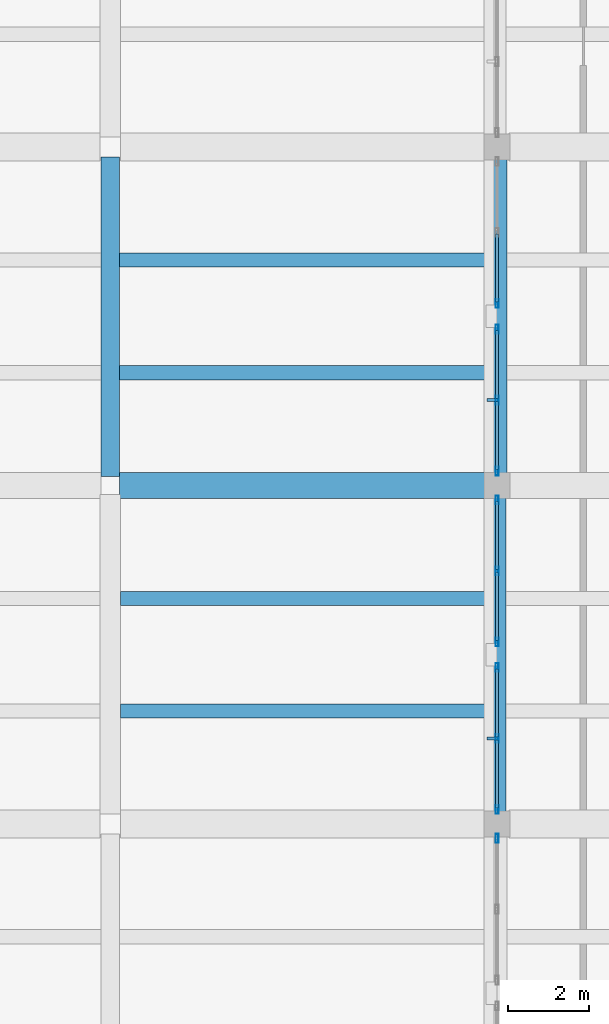
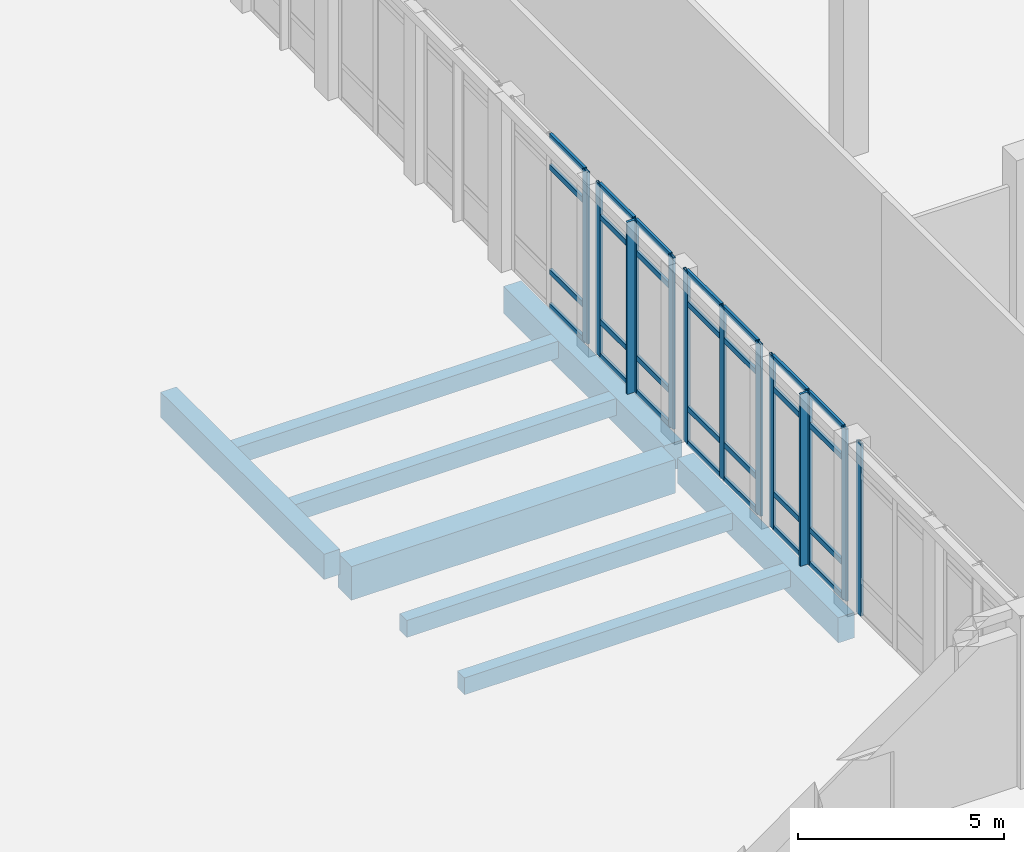
# One storey, part 18 of 71: 41 members, 8 beams, 5 elements without a shape of their own.
"""IFC4 building model written with IfcOpenShell, lengths in metres."""

from ifc_helpers import new_model, si_unit, direction, frame, origin, origin_2d, place, context, subcontext, project, spatial, rectangle, hollow_rectangle, extrude, material, layer, layer_set, material_profile, profile_set, type_object, element, aggregate, save


model = new_model("IFC4")

# Units and contexts
model_context = context("Model", 3, precision=1e-05, world=origin(), true_north=direction((0.0, 1.0)))
body_context = subcontext(model_context, "Body", "Model", "MODEL_VIEW")
ifc_project = project(units=[si_unit("LENGTHUNIT", "METRE"), si_unit("AREAUNIT", "SQUARE_METRE"), si_unit("VOLUMEUNIT", "CUBIC_METRE"), si_unit("PLANEANGLEUNIT", "RADIAN"), si_unit("MASSUNIT", "GRAM", prefix="KILO")], contexts=[model_context])

# Site, building, storey
site_placement = place(None, origin())
site = spatial("IfcSite", under=ifc_project, at=site_placement, CompositionType="ELEMENT")
building_placement = place(site_placement, origin())
building = spatial("IfcBuilding", under=site, at=building_placement, Name="Lornevale Opera House", CompositionType="ELEMENT")
storey_placement = place(building_placement, origin())
storey = spatial("IfcBuildingStorey", under=building, at=storey_placement, Name="L01", CompositionType="ELEMENT", Elevation=0.0)

# Beams
ifc_material_1 = material(Name="Concrete 35 MPa (CSA A23.1 N)", Category="concrete")
ifc_material_profile_1 = material_profile(ifc_material_1, rectangle(XDim=0.449951171875, YDim=0.75, at=origin_2d()), Name="RC450x750")
ifc_profile_set_1 = profile_set([ifc_material_profile_1], Name="Concrete 35 MPa (CSA A23.1 N)")
beam_type_1 = type_object("IfcBeamType", Name="Concrete Floor Beam 450x750", PredefinedType="USERDEFINED", material=ifc_profile_set_1)
beam_1_placement = place(storey_placement, frame((19.199951171875, 42.22509765625, -0.625), z_axis=(0.0, 1.0, 0.0), x_axis=(-1.0, 0.0, 0.0)))
element("IfcBeam", 1, at=beam_1_placement, inside=storey, type_object=beam_type_1, Name="Concrete Floor Beam 450x750 1098", ObjectType="GIRDER", PredefinedType="USERDEFINED", context=body_context, shape_type="SweptSolid", body=[
    extrude(rectangle(XDim=0.449951171875, YDim=0.75, at=origin_2d()), origin(), (0.0, 0.0, 1.0), 7.9248046875),
])
beam_2_placement = place(storey_placement, frame((28.800048828125, 33.89990234375, -0.81494140625), z_axis=(0.0, 1.0, 0.0), x_axis=(-1.0, 0.0, 0.0)))
element("IfcBeam", 2, at=beam_2_placement, inside=storey, type_object=beam_type_1, Name="Concrete Floor Beam 450x750 1109", ObjectType="GIRDER", PredefinedType="USERDEFINED", context=body_context, shape_type="SweptSolid", body=[
    extrude(rectangle(XDim=0.449951171875, YDim=0.75, at=origin_2d()), origin(), (0.0, 0.0, 1.0), 7.800048828125),
])
ifc_material_profile_2 = material_profile(ifc_material_1, rectangle(XDim=0.5, YDim=0.800048828125, at=origin_2d()), Name="RC500x800")
ifc_profile_set_2 = profile_set([ifc_material_profile_2], Name="Concrete 35 MPa (CSA A23.1 N)")
beam_type_2 = type_object("IfcBeamType", Name="Concrete Floor Beam 500x800", PredefinedType="USERDEFINED", material=ifc_profile_set_2)
beam_3_placement = place(storey_placement, frame((28.800048828125, 42.300048828125, -0.840087890625), z_axis=(0.0, 1.0, 0.0), x_axis=(-1.0, 0.0, 0.0)))
element("IfcBeam", 3, at=beam_3_placement, inside=storey, type_object=beam_type_2, Name="Concrete Floor Beam 500x800 1110", ObjectType="GIRDER", PredefinedType="USERDEFINED", context=body_context, shape_type="SweptSolid", body=[
    extrude(rectangle(XDim=0.5, YDim=0.800048828125, at=origin_2d()), origin(), (0.0, 0.0, 1.0), 7.800048828125),
])
ifc_material_2 = material(Name="Concrete 40 MPa (CSA A23.1 C-1)", Category="concrete")
ifc_material_profile_3 = material_profile(ifc_material_2, rectangle(XDim=0.64990234375, YDim=1.0, at=origin_2d()), Name="RC650x1000")
ifc_profile_set_3 = profile_set([ifc_material_profile_3], Name="Concrete 40 MPa (CSA A23.1 C-1)")
beam_type_3 = type_object("IfcBeamType", Name="Concrete Primary Girder 650x1000", PredefinedType="USERDEFINED", material=ifc_profile_set_3)
beam_4_placement = place(storey_placement, frame((19.425048828125, 42.0, -0.93994140625), z_axis=(1.0, 0.0, 0.0), x_axis=(0.0, 1.0, 0.0)))
element("IfcBeam", 4, at=beam_4_placement, inside=storey, type_object=beam_type_3, Name="Concrete Primary Girder 650x1000 0927", ObjectType="GIRDER", PredefinedType="USERDEFINED", context=body_context, shape_type="SweptSolid", body=[
    extrude(rectangle(XDim=0.64990234375, YDim=1.0, at=origin_2d()), origin(), (0.0, 0.0, 1.0), 9.074951171875),
])
ifc_material_profile_4 = material_profile(ifc_material_1, rectangle(XDim=0.35009765625, YDim=0.5, at=origin_2d()), Name="RC350x500")
ifc_profile_set_4 = profile_set([ifc_material_profile_4], Name="Concrete 35 MPa (CSA A23.1 N)")
beam_type_4 = type_object("IfcBeamType", Name="Concrete Secondary Rib 350x500", PredefinedType="JOIST", material=ifc_profile_set_4)
for number, where, z_axis, x_axis, name in (
    (5, (19.449951171875, 36.39990234375, -0.68994140625), (1.0, 0.0, 0.0), (0.0, 1.0, 0.0), "Concrete Secondary Rib 350x500 1345"),
    (6, (19.449951171875, 39.199951171875, -0.68994140625), (1.0, 0.0, 0.0), (0.0, 1.0, 0.0), "Concrete Secondary Rib 350x500 1346"),
    (7, (19.425048828125, 44.800048828125, -0.68994140625), (1.0, 0.0, 0.0), (0.0, 1.0, 0.0), "Concrete Secondary Rib 350x500 1347"),
    (8, (19.425048828125, 47.60009765625, -0.68994140625), (1.0, 0.0, 0.0), (0.0, 1.0, 0.0), "Concrete Secondary Rib 350x500 1348"),
):
    element("IfcBeam", number, at=place(storey_placement, frame(where, z_axis=z_axis, x_axis=x_axis)), inside=storey, type_object=beam_type_4, Name=name, PredefinedType="JOIST", context=body_context, shape_type="SweptSolid", body=[
        extrude(rectangle(XDim=0.35009765625, YDim=0.5, at=origin_2d()), origin(), (0.0, 0.0, 1.0), 9.125),
    ])

# Curtain wall, member
ifc_material_3 = material(Name="Anodized Oxide-Green Aluminium Framing", Category="aluminium")
ifc_layer = layer(ifc_material_3, 0.215087890625)
ifc_layer_set = layer_set([ifc_layer], Name="Anodized Oxide-Green Aluminium Framing")
curtain_wall_type = type_object("IfcCurtainWallType", Name="Grand Foyer Curtain Wall M2000", PredefinedType="NOTDEFINED", material=ifc_layer_set)
curtain_wall_1_placement = place(storey_placement, origin())
curtain_wall_1 = element("IfcCurtainWall", 9, at=curtain_wall_1_placement, inside=storey, type_object=curtain_wall_type, Name="Grand Foyer Curtain Wall M2000 CW-002", PredefinedType="NOTDEFINED")
ifc_material_profile_5 = material_profile(ifc_material_3, hollow_rectangle(XDim=0.074951171875, YDim=0.219970703125, WallThickness=0.0048828125, at=origin_2d()), Name="ALU75x220x5")
ifc_profile_set_5 = profile_set([ifc_material_profile_5], Name="Anodized Oxide-Green Aluminium Framing")
member_type_1 = type_object("IfcMemberType", Name="Curtain Wall Mullion 75x220", PredefinedType="MULLION", material=ifc_profile_set_5)
member_1_placement = place(storey_placement, frame((28.800048828125, 33.241455078125, 0.0), z_axis=(0.0, 0.0, 1.0), x_axis=(-1.0, 0.0, 0.0)))
member_1 = element("IfcMember", 10, at=member_1_placement, type_object=member_type_1, Name="Curtain Wall Mullion 75x220 CW0020", PredefinedType="MULLION", context=body_context, shape_type="SweptSolid", body=[
    extrude(hollow_rectangle(XDim=0.074951171875, YDim=0.219970703125, WallThickness=0.0048828125, at=origin_2d()), origin(), (0.0, 0.0, 1.0), 5.10009765625),
])
aggregate(curtain_wall_1, [member_1])

# Curtain wall, members
curtain_wall_2_placement = place(storey_placement, origin())
curtain_wall_2 = element("IfcCurtainWall", 11, at=curtain_wall_2_placement, inside=storey, type_object=curtain_wall_type, Name="Grand Foyer Curtain Wall M2000 CW-003", PredefinedType="NOTDEFINED")
member_2_placement = place(storey_placement, frame((28.800048828125, 33.95849609375, 0.0), z_axis=(0.0, 0.0, 1.0), x_axis=(-1.0, 0.0, 0.0)))
member_2 = element("IfcMember", 12, at=member_2_placement, type_object=member_type_1, Name="Curtain Wall Mullion 75x220 CW0035", PredefinedType="MULLION", context=body_context, shape_type="SweptSolid", body=[
    extrude(hollow_rectangle(XDim=0.074951171875, YDim=0.219970703125, WallThickness=0.0048828125, at=origin_2d()), origin(), (0.0, 0.0, 1.0), 5.10009765625),
])
member_3_placement = place(storey_placement, frame((28.800048828125, 35.720458984375, 0.0), z_axis=(0.0, 0.0, 1.0), x_axis=(-1.0, 0.0, 0.0)))
member_3 = element("IfcMember", 13, at=member_3_placement, type_object=member_type_1, Name="Curtain Wall Mullion 75x220 CW0036", PredefinedType="MULLION", context=body_context, shape_type="SweptSolid", body=[
    extrude(hollow_rectangle(XDim=0.074951171875, YDim=0.219970703125, WallThickness=0.0048828125, at=origin_2d()), origin(), (0.0, 0.0, 1.0), 5.10009765625),
])
member_4_placement = place(storey_placement, frame((28.800048828125, 37.482421875, 0.0), z_axis=(0.0, 0.0, 1.0), x_axis=(-1.0, 0.0, 0.0)))
member_4 = element("IfcMember", 14, at=member_4_placement, type_object=member_type_1, Name="Curtain Wall Mullion 75x220 CW0037", PredefinedType="MULLION", context=body_context, shape_type="SweptSolid", body=[
    extrude(hollow_rectangle(XDim=0.074951171875, YDim=0.219970703125, WallThickness=0.0048828125, at=origin_2d()), origin(), (0.0, 0.0, 1.0), 5.10009765625),
])

curtain_wall_3_placement = place(storey_placement, origin())
curtain_wall_3 = element("IfcCurtainWall", 15, at=curtain_wall_3_placement, inside=storey, type_object=curtain_wall_type, Name="Grand Foyer Curtain Wall M2000 CW-004", PredefinedType="NOTDEFINED")
member_5_placement = place(storey_placement, frame((28.800048828125, 38.117431640625, 0.0), z_axis=(0.0, 0.0, 1.0), x_axis=(-1.0, 0.0, 0.0)))
member_5 = element("IfcMember", 16, at=member_5_placement, type_object=member_type_1, Name="Curtain Wall Mullion 75x220 CW0052", PredefinedType="MULLION", context=body_context, shape_type="SweptSolid", body=[
    extrude(hollow_rectangle(XDim=0.074951171875, YDim=0.219970703125, WallThickness=0.0048828125, at=origin_2d()), origin(), (0.0, 0.0, 1.0), 5.10009765625),
])
member_6_placement = place(storey_placement, frame((28.800048828125, 39.87939453125, 0.0), z_axis=(0.0, 0.0, 1.0), x_axis=(-1.0, 0.0, 0.0)))
member_6 = element("IfcMember", 17, at=member_6_placement, type_object=member_type_1, Name="Curtain Wall Mullion 75x220 CW0053", PredefinedType="MULLION", context=body_context, shape_type="SweptSolid", body=[
    extrude(hollow_rectangle(XDim=0.074951171875, YDim=0.219970703125, WallThickness=0.0048828125, at=origin_2d()), origin(), (0.0, 0.0, 1.0), 5.10009765625),
])
member_7_placement = place(storey_placement, frame((28.800048828125, 41.6416015625, 0.0), z_axis=(0.0, 0.0, 1.0), x_axis=(-1.0, 0.0, 0.0)))
member_7 = element("IfcMember", 18, at=member_7_placement, type_object=member_type_1, Name="Curtain Wall Mullion 75x220 CW0054", PredefinedType="MULLION", context=body_context, shape_type="SweptSolid", body=[
    extrude(hollow_rectangle(XDim=0.074951171875, YDim=0.219970703125, WallThickness=0.0048828125, at=origin_2d()), origin(), (0.0, 0.0, 1.0), 5.10009765625),
])

curtain_wall_4_placement = place(storey_placement, origin())
curtain_wall_4 = element("IfcCurtainWall", 19, at=curtain_wall_4_placement, inside=storey, type_object=curtain_wall_type, Name="Grand Foyer Curtain Wall M2000 CW-005", PredefinedType="NOTDEFINED")
member_8_placement = place(storey_placement, frame((28.800048828125, 42.3583984375, 0.0), z_axis=(0.0, 0.0, 1.0), x_axis=(-1.0, 0.0, 0.0)))
member_8 = element("IfcMember", 20, at=member_8_placement, type_object=member_type_1, Name="Curtain Wall Mullion 75x220 CW0069", PredefinedType="MULLION", context=body_context, shape_type="SweptSolid", body=[
    extrude(hollow_rectangle(XDim=0.074951171875, YDim=0.219970703125, WallThickness=0.0048828125, at=origin_2d()), origin(), (0.0, 0.0, 1.0), 5.10009765625),
])
member_9_placement = place(storey_placement, frame((28.800048828125, 44.12060546875, 0.0), z_axis=(0.0, 0.0, 1.0), x_axis=(-1.0, 0.0, 0.0)))
member_9 = element("IfcMember", 21, at=member_9_placement, type_object=member_type_1, Name="Curtain Wall Mullion 75x220 CW0070", PredefinedType="MULLION", context=body_context, shape_type="SweptSolid", body=[
    extrude(hollow_rectangle(XDim=0.074951171875, YDim=0.219970703125, WallThickness=0.0048828125, at=origin_2d()), origin(), (0.0, 0.0, 1.0), 5.10009765625),
])
member_10_placement = place(storey_placement, frame((28.800048828125, 45.882568359375, 0.0), z_axis=(0.0, 0.0, 1.0), x_axis=(-1.0, 0.0, 0.0)))
member_10 = element("IfcMember", 22, at=member_10_placement, type_object=member_type_1, Name="Curtain Wall Mullion 75x220 CW0071", PredefinedType="MULLION", context=body_context, shape_type="SweptSolid", body=[
    extrude(hollow_rectangle(XDim=0.074951171875, YDim=0.219970703125, WallThickness=0.0048828125, at=origin_2d()), origin(), (0.0, 0.0, 1.0), 5.10009765625),
])

# Curtain wall, member
curtain_wall_5_placement = place(storey_placement, origin())
curtain_wall_5 = element("IfcCurtainWall", 23, at=curtain_wall_5_placement, inside=storey, type_object=curtain_wall_type, Name="Grand Foyer Curtain Wall M2000 CW-006", PredefinedType="NOTDEFINED")
member_11_placement = place(storey_placement, frame((28.800048828125, 46.517578125, 0.0), z_axis=(0.0, 0.0, 1.0), x_axis=(-1.0, 0.0, 0.0)))
member_11 = element("IfcMember", 24, at=member_11_placement, type_object=member_type_1, Name="Curtain Wall Mullion 75x220 CW0086", PredefinedType="MULLION", context=body_context, shape_type="SweptSolid", body=[
    extrude(hollow_rectangle(XDim=0.074951171875, YDim=0.219970703125, WallThickness=0.0048828125, at=origin_2d()), origin(), (0.0, 0.0, 1.0), 5.10009765625),
])

# Member
ifc_material_profile_6 = material_profile(ifc_material_3, hollow_rectangle(XDim=0.074951171875, YDim=0.159912109375, WallThickness=0.0048828125, at=origin_2d()), Name="ALU75x160x5")
ifc_profile_set_6 = profile_set([ifc_material_profile_6], Name="Anodized Oxide-Green Aluminium Framing")
member_type_2 = type_object("IfcMemberType", Name="Curtain Wall Transom 75x160", PredefinedType="USERDEFINED", material=ifc_profile_set_6)
member_12_placement = place(storey_placement, frame((28.800048828125, 33.99609375, 0.03759765625), z_axis=(0.0, 1.0, 0.0), x_axis=(-1.0, 0.0, 0.0)))
member_12 = element("IfcMember", 25, at=member_12_placement, type_object=member_type_2, Name="Curtain Wall Transom 75x160 CW0038", ObjectType="TRANSOM", PredefinedType="USERDEFINED", context=body_context, shape_type="SweptSolid", body=[
    extrude(hollow_rectangle(XDim=0.074951171875, YDim=0.159912109375, WallThickness=0.0048828125, at=origin_2d()), origin(), (0.0, 0.0, 1.0), 1.68701171875),
])

member_13_placement = place(storey_placement, frame((28.800048828125, 33.99609375, 1.050048828125), z_axis=(0.0, 1.0, 0.0), x_axis=(-1.0, 0.0, 0.0)))
member_13 = element("IfcMember", 26, at=member_13_placement, type_object=member_type_2, Name="Curtain Wall Transom 75x160 CW0039", ObjectType="TRANSOM", PredefinedType="USERDEFINED", context=body_context, shape_type="SweptSolid", body=[
    extrude(hollow_rectangle(XDim=0.074951171875, YDim=0.159912109375, WallThickness=0.0048828125, at=origin_2d()), origin(), (0.0, 0.0, 1.0), 1.68701171875),
])

member_14_placement = place(storey_placement, frame((28.800048828125, 33.99609375, 4.14990234375), z_axis=(0.0, 1.0, 0.0), x_axis=(-1.0, 0.0, 0.0)))
member_14 = element("IfcMember", 27, at=member_14_placement, type_object=member_type_2, Name="Curtain Wall Transom 75x160 CW0040", ObjectType="TRANSOM", PredefinedType="USERDEFINED", context=body_context, shape_type="SweptSolid", body=[
    extrude(hollow_rectangle(XDim=0.074951171875, YDim=0.159912109375, WallThickness=0.0048828125, at=origin_2d()), origin(), (0.0, 0.0, 1.0), 1.68701171875),
])

member_15_placement = place(storey_placement, frame((28.800048828125, 33.99609375, 5.0625), z_axis=(0.0, 1.0, 0.0), x_axis=(-1.0, 0.0, 0.0)))
member_15 = element("IfcMember", 28, at=member_15_placement, type_object=member_type_2, Name="Curtain Wall Transom 75x160 CW0041", ObjectType="TRANSOM", PredefinedType="USERDEFINED", context=body_context, shape_type="SweptSolid", body=[
    extrude(hollow_rectangle(XDim=0.074951171875, YDim=0.159912109375, WallThickness=0.0048828125, at=origin_2d()), origin(), (0.0, 0.0, 1.0), 1.68701171875),
])

member_16_placement = place(storey_placement, frame((28.800048828125, 35.758056640625, 0.03759765625), z_axis=(0.0, 1.0, 0.0), x_axis=(-1.0, 0.0, 0.0)))
member_16 = element("IfcMember", 29, at=member_16_placement, type_object=member_type_2, Name="Curtain Wall Transom 75x160 CW0045", ObjectType="TRANSOM", PredefinedType="USERDEFINED", context=body_context, shape_type="SweptSolid", body=[
    extrude(hollow_rectangle(XDim=0.074951171875, YDim=0.159912109375, WallThickness=0.0048828125, at=origin_2d()), origin(), (0.0, 0.0, 1.0), 1.68701171875),
])

member_17_placement = place(storey_placement, frame((28.800048828125, 35.758056640625, 1.050048828125), z_axis=(0.0, 1.0, 0.0), x_axis=(-1.0, 0.0, 0.0)))
member_17 = element("IfcMember", 30, at=member_17_placement, type_object=member_type_2, Name="Curtain Wall Transom 75x160 CW0046", ObjectType="TRANSOM", PredefinedType="USERDEFINED", context=body_context, shape_type="SweptSolid", body=[
    extrude(hollow_rectangle(XDim=0.074951171875, YDim=0.159912109375, WallThickness=0.0048828125, at=origin_2d()), origin(), (0.0, 0.0, 1.0), 1.68701171875),
])

member_18_placement = place(storey_placement, frame((28.800048828125, 35.758056640625, 4.14990234375), z_axis=(0.0, 1.0, 0.0), x_axis=(-1.0, 0.0, 0.0)))
member_18 = element("IfcMember", 31, at=member_18_placement, type_object=member_type_2, Name="Curtain Wall Transom 75x160 CW0047", ObjectType="TRANSOM", PredefinedType="USERDEFINED", context=body_context, shape_type="SweptSolid", body=[
    extrude(hollow_rectangle(XDim=0.074951171875, YDim=0.159912109375, WallThickness=0.0048828125, at=origin_2d()), origin(), (0.0, 0.0, 1.0), 1.68701171875),
])

member_19_placement = place(storey_placement, frame((28.800048828125, 35.758056640625, 5.0625), z_axis=(0.0, 1.0, 0.0), x_axis=(-1.0, 0.0, 0.0)))
member_19 = element("IfcMember", 32, at=member_19_placement, type_object=member_type_2, Name="Curtain Wall Transom 75x160 CW0048", ObjectType="TRANSOM", PredefinedType="USERDEFINED", context=body_context, shape_type="SweptSolid", body=[
    extrude(hollow_rectangle(XDim=0.074951171875, YDim=0.159912109375, WallThickness=0.0048828125, at=origin_2d()), origin(), (0.0, 0.0, 1.0), 1.68701171875),
])

member_20_placement = place(storey_placement, frame((28.800048828125, 38.155029296875, 0.03759765625), z_axis=(0.0, 1.0, 0.0), x_axis=(-1.0, 0.0, 0.0)))
member_20 = element("IfcMember", 33, at=member_20_placement, type_object=member_type_2, Name="Curtain Wall Transom 75x160 CW0055", ObjectType="TRANSOM", PredefinedType="USERDEFINED", context=body_context, shape_type="SweptSolid", body=[
    extrude(hollow_rectangle(XDim=0.074951171875, YDim=0.159912109375, WallThickness=0.0048828125, at=origin_2d()), origin(), (0.0, 0.0, 1.0), 1.68701171875),
])

member_21_placement = place(storey_placement, frame((28.800048828125, 38.155029296875, 1.050048828125), z_axis=(0.0, 1.0, 0.0), x_axis=(-1.0, 0.0, 0.0)))
member_21 = element("IfcMember", 34, at=member_21_placement, type_object=member_type_2, Name="Curtain Wall Transom 75x160 CW0056", ObjectType="TRANSOM", PredefinedType="USERDEFINED", context=body_context, shape_type="SweptSolid", body=[
    extrude(hollow_rectangle(XDim=0.074951171875, YDim=0.159912109375, WallThickness=0.0048828125, at=origin_2d()), origin(), (0.0, 0.0, 1.0), 1.68701171875),
])

member_22_placement = place(storey_placement, frame((28.800048828125, 38.155029296875, 4.14990234375), z_axis=(0.0, 1.0, 0.0), x_axis=(-1.0, 0.0, 0.0)))
member_22 = element("IfcMember", 35, at=member_22_placement, type_object=member_type_2, Name="Curtain Wall Transom 75x160 CW0057", ObjectType="TRANSOM", PredefinedType="USERDEFINED", context=body_context, shape_type="SweptSolid", body=[
    extrude(hollow_rectangle(XDim=0.074951171875, YDim=0.159912109375, WallThickness=0.0048828125, at=origin_2d()), origin(), (0.0, 0.0, 1.0), 1.68701171875),
])

member_23_placement = place(storey_placement, frame((28.800048828125, 38.155029296875, 5.0625), z_axis=(0.0, 1.0, 0.0), x_axis=(-1.0, 0.0, 0.0)))
member_23 = element("IfcMember", 36, at=member_23_placement, type_object=member_type_2, Name="Curtain Wall Transom 75x160 CW0058", ObjectType="TRANSOM", PredefinedType="USERDEFINED", context=body_context, shape_type="SweptSolid", body=[
    extrude(hollow_rectangle(XDim=0.074951171875, YDim=0.159912109375, WallThickness=0.0048828125, at=origin_2d()), origin(), (0.0, 0.0, 1.0), 1.68701171875),
])

member_24_placement = place(storey_placement, frame((28.800048828125, 39.9169921875, 0.03759765625), z_axis=(0.0, 1.0, 0.0), x_axis=(-1.0, 0.0, 0.0)))
member_24 = element("IfcMember", 37, at=member_24_placement, type_object=member_type_2, Name="Curtain Wall Transom 75x160 CW0062", ObjectType="TRANSOM", PredefinedType="USERDEFINED", context=body_context, shape_type="SweptSolid", body=[
    extrude(hollow_rectangle(XDim=0.074951171875, YDim=0.159912109375, WallThickness=0.0048828125, at=origin_2d()), origin(), (0.0, 0.0, 1.0), 1.68701171875),
])

member_25_placement = place(storey_placement, frame((28.800048828125, 39.9169921875, 1.050048828125), z_axis=(0.0, 1.0, 0.0), x_axis=(-1.0, 0.0, 0.0)))
member_25 = element("IfcMember", 38, at=member_25_placement, type_object=member_type_2, Name="Curtain Wall Transom 75x160 CW0063", ObjectType="TRANSOM", PredefinedType="USERDEFINED", context=body_context, shape_type="SweptSolid", body=[
    extrude(hollow_rectangle(XDim=0.074951171875, YDim=0.159912109375, WallThickness=0.0048828125, at=origin_2d()), origin(), (0.0, 0.0, 1.0), 1.68701171875),
])

member_26_placement = place(storey_placement, frame((28.800048828125, 39.9169921875, 4.14990234375), z_axis=(0.0, 1.0, 0.0), x_axis=(-1.0, 0.0, 0.0)))
member_26 = element("IfcMember", 39, at=member_26_placement, type_object=member_type_2, Name="Curtain Wall Transom 75x160 CW0064", ObjectType="TRANSOM", PredefinedType="USERDEFINED", context=body_context, shape_type="SweptSolid", body=[
    extrude(hollow_rectangle(XDim=0.074951171875, YDim=0.159912109375, WallThickness=0.0048828125, at=origin_2d()), origin(), (0.0, 0.0, 1.0), 1.68701171875),
])

member_27_placement = place(storey_placement, frame((28.800048828125, 39.9169921875, 5.0625), z_axis=(0.0, 1.0, 0.0), x_axis=(-1.0, 0.0, 0.0)))
member_27 = element("IfcMember", 40, at=member_27_placement, type_object=member_type_2, Name="Curtain Wall Transom 75x160 CW0065", ObjectType="TRANSOM", PredefinedType="USERDEFINED", context=body_context, shape_type="SweptSolid", body=[
    extrude(hollow_rectangle(XDim=0.074951171875, YDim=0.159912109375, WallThickness=0.0048828125, at=origin_2d()), origin(), (0.0, 0.0, 1.0), 1.68701171875),
])

aggregate(curtain_wall_3, [member_5, member_6, member_7, member_20, member_21, member_22, member_23, member_24, member_25, member_26, member_27])

member_28_placement = place(storey_placement, frame((28.800048828125, 42.39599609375, 0.03759765625), z_axis=(0.0, 1.0, 0.0), x_axis=(-1.0, 0.0, 0.0)))
member_28 = element("IfcMember", 41, at=member_28_placement, type_object=member_type_2, Name="Curtain Wall Transom 75x160 CW0072", ObjectType="TRANSOM", PredefinedType="USERDEFINED", context=body_context, shape_type="SweptSolid", body=[
    extrude(hollow_rectangle(XDim=0.074951171875, YDim=0.159912109375, WallThickness=0.0048828125, at=origin_2d()), origin(), (0.0, 0.0, 1.0), 1.68701171875),
])

member_29_placement = place(storey_placement, frame((28.800048828125, 42.39599609375, 1.050048828125), z_axis=(0.0, 1.0, 0.0), x_axis=(-1.0, 0.0, 0.0)))
member_29 = element("IfcMember", 42, at=member_29_placement, type_object=member_type_2, Name="Curtain Wall Transom 75x160 CW0073", ObjectType="TRANSOM", PredefinedType="USERDEFINED", context=body_context, shape_type="SweptSolid", body=[
    extrude(hollow_rectangle(XDim=0.074951171875, YDim=0.159912109375, WallThickness=0.0048828125, at=origin_2d()), origin(), (0.0, 0.0, 1.0), 1.68701171875),
])

member_30_placement = place(storey_placement, frame((28.800048828125, 42.39599609375, 4.14990234375), z_axis=(0.0, 1.0, 0.0), x_axis=(-1.0, 0.0, 0.0)))
member_30 = element("IfcMember", 43, at=member_30_placement, type_object=member_type_2, Name="Curtain Wall Transom 75x160 CW0074", ObjectType="TRANSOM", PredefinedType="USERDEFINED", context=body_context, shape_type="SweptSolid", body=[
    extrude(hollow_rectangle(XDim=0.074951171875, YDim=0.159912109375, WallThickness=0.0048828125, at=origin_2d()), origin(), (0.0, 0.0, 1.0), 1.68701171875),
])

member_31_placement = place(storey_placement, frame((28.800048828125, 42.39599609375, 5.0625), z_axis=(0.0, 1.0, 0.0), x_axis=(-1.0, 0.0, 0.0)))
member_31 = element("IfcMember", 44, at=member_31_placement, type_object=member_type_2, Name="Curtain Wall Transom 75x160 CW0075", ObjectType="TRANSOM", PredefinedType="USERDEFINED", context=body_context, shape_type="SweptSolid", body=[
    extrude(hollow_rectangle(XDim=0.074951171875, YDim=0.159912109375, WallThickness=0.0048828125, at=origin_2d()), origin(), (0.0, 0.0, 1.0), 1.68701171875),
])

member_32_placement = place(storey_placement, frame((28.800048828125, 44.157958984375, 0.03759765625), z_axis=(0.0, 1.0, 0.0), x_axis=(-1.0, 0.0, 0.0)))
member_32 = element("IfcMember", 45, at=member_32_placement, type_object=member_type_2, Name="Curtain Wall Transom 75x160 CW0079", ObjectType="TRANSOM", PredefinedType="USERDEFINED", context=body_context, shape_type="SweptSolid", body=[
    extrude(hollow_rectangle(XDim=0.074951171875, YDim=0.159912109375, WallThickness=0.0048828125, at=origin_2d()), origin(), (0.0, 0.0, 1.0), 1.68701171875),
])

member_33_placement = place(storey_placement, frame((28.800048828125, 44.157958984375, 1.050048828125), z_axis=(0.0, 1.0, 0.0), x_axis=(-1.0, 0.0, 0.0)))
member_33 = element("IfcMember", 46, at=member_33_placement, type_object=member_type_2, Name="Curtain Wall Transom 75x160 CW0080", ObjectType="TRANSOM", PredefinedType="USERDEFINED", context=body_context, shape_type="SweptSolid", body=[
    extrude(hollow_rectangle(XDim=0.074951171875, YDim=0.159912109375, WallThickness=0.0048828125, at=origin_2d()), origin(), (0.0, 0.0, 1.0), 1.68701171875),
])

member_34_placement = place(storey_placement, frame((28.800048828125, 44.157958984375, 4.14990234375), z_axis=(0.0, 1.0, 0.0), x_axis=(-1.0, 0.0, 0.0)))
member_34 = element("IfcMember", 47, at=member_34_placement, type_object=member_type_2, Name="Curtain Wall Transom 75x160 CW0081", ObjectType="TRANSOM", PredefinedType="USERDEFINED", context=body_context, shape_type="SweptSolid", body=[
    extrude(hollow_rectangle(XDim=0.074951171875, YDim=0.159912109375, WallThickness=0.0048828125, at=origin_2d()), origin(), (0.0, 0.0, 1.0), 1.68701171875),
])

member_35_placement = place(storey_placement, frame((28.800048828125, 44.157958984375, 5.0625), z_axis=(0.0, 1.0, 0.0), x_axis=(-1.0, 0.0, 0.0)))
member_35 = element("IfcMember", 48, at=member_35_placement, type_object=member_type_2, Name="Curtain Wall Transom 75x160 CW0082", ObjectType="TRANSOM", PredefinedType="USERDEFINED", context=body_context, shape_type="SweptSolid", body=[
    extrude(hollow_rectangle(XDim=0.074951171875, YDim=0.159912109375, WallThickness=0.0048828125, at=origin_2d()), origin(), (0.0, 0.0, 1.0), 1.68701171875),
])

member_36_placement = place(storey_placement, frame((28.800048828125, 46.554931640625, 0.03759765625), z_axis=(0.0, 1.0, 0.0), x_axis=(-1.0, 0.0, 0.0)))
member_36 = element("IfcMember", 49, at=member_36_placement, type_object=member_type_2, Name="Curtain Wall Transom 75x160 CW0089", ObjectType="TRANSOM", PredefinedType="USERDEFINED", context=body_context, shape_type="SweptSolid", body=[
    extrude(hollow_rectangle(XDim=0.074951171875, YDim=0.159912109375, WallThickness=0.0048828125, at=origin_2d()), origin(), (0.0, 0.0, 1.0), 1.68701171875),
])

member_37_placement = place(storey_placement, frame((28.800048828125, 46.554931640625, 1.050048828125), z_axis=(0.0, 1.0, 0.0), x_axis=(-1.0, 0.0, 0.0)))
member_37 = element("IfcMember", 50, at=member_37_placement, type_object=member_type_2, Name="Curtain Wall Transom 75x160 CW0090", ObjectType="TRANSOM", PredefinedType="USERDEFINED", context=body_context, shape_type="SweptSolid", body=[
    extrude(hollow_rectangle(XDim=0.074951171875, YDim=0.159912109375, WallThickness=0.0048828125, at=origin_2d()), origin(), (0.0, 0.0, 1.0), 1.68701171875),
])

member_38_placement = place(storey_placement, frame((28.800048828125, 46.554931640625, 4.14990234375), z_axis=(0.0, 1.0, 0.0), x_axis=(-1.0, 0.0, 0.0)))
member_38 = element("IfcMember", 51, at=member_38_placement, type_object=member_type_2, Name="Curtain Wall Transom 75x160 CW0091", ObjectType="TRANSOM", PredefinedType="USERDEFINED", context=body_context, shape_type="SweptSolid", body=[
    extrude(hollow_rectangle(XDim=0.074951171875, YDim=0.159912109375, WallThickness=0.0048828125, at=origin_2d()), origin(), (0.0, 0.0, 1.0), 1.68701171875),
])

member_39_placement = place(storey_placement, frame((28.800048828125, 46.554931640625, 5.0625), z_axis=(0.0, 1.0, 0.0), x_axis=(-1.0, 0.0, 0.0)))
member_39 = element("IfcMember", 52, at=member_39_placement, type_object=member_type_2, Name="Curtain Wall Transom 75x160 CW0092", ObjectType="TRANSOM", PredefinedType="USERDEFINED", context=body_context, shape_type="SweptSolid", body=[
    extrude(hollow_rectangle(XDim=0.074951171875, YDim=0.159912109375, WallThickness=0.0048828125, at=origin_2d()), origin(), (0.0, 0.0, 1.0), 1.68701171875),
])

aggregate(curtain_wall_5, [member_11, member_36, member_37, member_38, member_39])

ifc_material_4 = material(Name="Architectural Bronze Solar Louvre Alloy", Category="metal")
ifc_material_profile_7 = material_profile(ifc_material_4, rectangle(XDim=0.070068359375, YDim=0.300048828125, at=origin_2d()), Name="FIN70x300")
ifc_profile_set_7 = profile_set([ifc_material_profile_7], Name="Architectural Bronze Solar Louvre Alloy")
member_type_3 = type_object("IfcMemberType", Name="Solar Shading Fin 70x300", PredefinedType="USERDEFINED", material=ifc_profile_set_7)
member_40_placement = place(storey_placement, frame((28.695068359375, 35.720458984375, 0.0), z_axis=(0.0, 0.0, 1.0), x_axis=(0.0, 1.0, 0.0)))
member_40 = element("IfcMember", 53, at=member_40_placement, type_object=member_type_3, Name="Solar Shading Fin 70x300 FIN0002", ObjectType="SOLAR FIN", PredefinedType="USERDEFINED", context=body_context, shape_type="SweptSolid", body=[
    extrude(rectangle(XDim=0.070068359375, YDim=0.300048828125, at=origin_2d()), origin(), (0.0, 0.0, 1.0), 5.10009765625),
])

aggregate(curtain_wall_2, [member_2, member_3, member_4, member_12, member_13, member_14, member_15, member_16, member_17, member_18, member_19, member_40])

member_41_placement = place(storey_placement, frame((28.695068359375, 44.12060546875, 0.0), z_axis=(0.0, 0.0, 1.0), x_axis=(0.0, 1.0, 0.0)))
member_41 = element("IfcMember", 54, at=member_41_placement, type_object=member_type_3, Name="Solar Shading Fin 70x300 FIN0003", ObjectType="SOLAR FIN", PredefinedType="USERDEFINED", context=body_context, shape_type="SweptSolid", body=[
    extrude(rectangle(XDim=0.070068359375, YDim=0.300048828125, at=origin_2d()), origin(), (0.0, 0.0, 1.0), 5.10009765625),
])

aggregate(curtain_wall_4, [member_8, member_9, member_10, member_28, member_29, member_30, member_31, member_32, member_33, member_34, member_35, member_41])

save(model, "model.ifc")
